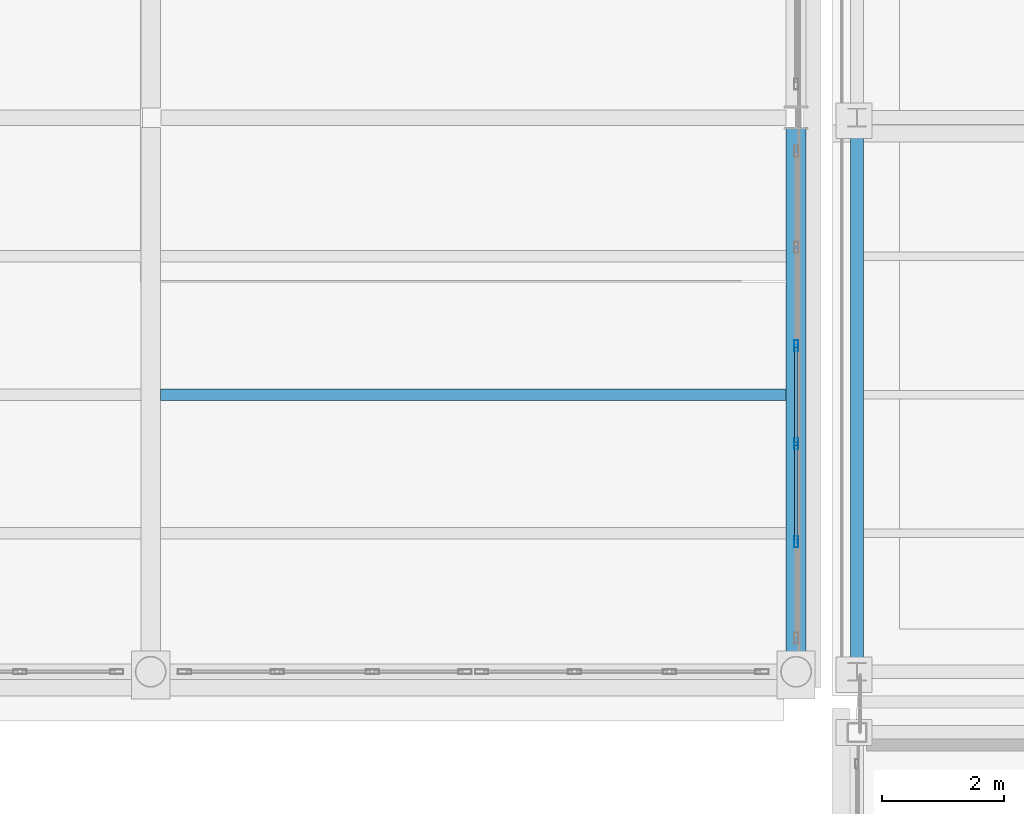
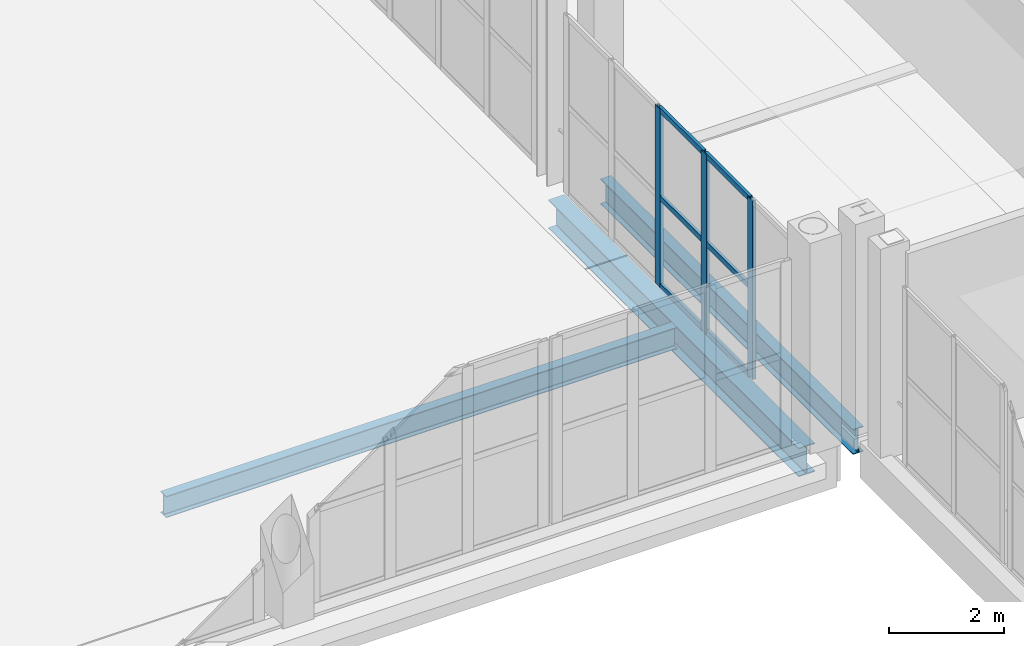
# One storey, part 82 of 156: 9 members, 3 beams, 1 element without a shape of its own.
"""IFC4 building model written with IfcOpenShell, lengths in metres."""

import ifcopenshell
import ifcopenshell.guid

model = None  # the IFC model being written
_history = None  # IfcOwnerHistory: only IFC2X3 demands one
_inside = {}  # id of a spatial element -> (the spatial element, [elements in it])
_under = {}  # id of a project, library or spatial element -> (it, [spatial elements below it])
_declared = {}  # id of a project -> (the project, [libraries it declares])
_typed = {}  # id of a type object -> (the type object, [elements of that type])
_made_of = {}  # id of a material, layer set ... -> (it, [elements and type objects made of it])


def new_model(schema):
    """Start an empty IFC model of exactly this schema.

    Asked for "IFC4X3", IfcOpenShell would pick the latest addendum, in which some entities
    have other attributes; the version numbers below select the first issue.
    IFC2X3 requires an IfcOwnerHistory on every rooted entity: one is made here for all.
    """
    global model, _history
    if schema == "IFC4X3":
        model = ifcopenshell.file(schema_version=(4, 3, 0, 0))
    else:
        model = ifcopenshell.file(schema=schema)
    _inside.clear()
    _under.clear()
    _declared.clear()
    _typed.clear()
    _made_of.clear()
    _history = None
    if model.schema == "IFC2X3":
        org = make("IfcOrganization", Name="unknown")
        user = make(
            "IfcPersonAndOrganization",
            ThePerson=make("IfcPerson", FamilyName="unknown"),
            TheOrganization=org,
        )
        app = make(
            "IfcApplication",
            ApplicationDeveloper=org,
            Version="unknown",
            ApplicationFullName="unknown",
            ApplicationIdentifier="unknown",
        )
        _history = make(
            "IfcOwnerHistory",
            OwningUser=user,
            OwningApplication=app,
            ChangeAction="ADDED",
            CreationDate=0,
        )
    return model


def make(cls, **values):
    """One entity of the class cls with the attributes given. An attribute that is None is left unset."""
    return model.create_entity(
        cls, **{name: value for name, value in values.items() if value is not None}
    )


def rooted(cls, **values):
    """An entity with a GlobalId (a new one), such as an element, a storey or a relation."""
    return make(cls, GlobalId=ifcopenshell.guid.new(), OwnerHistory=_history, **values)


def si_unit(unit_type, name, prefix=None):
    """IfcSIUnit, for example si_unit("LENGTHUNIT", "METRE", prefix="MILLI")."""
    return make("IfcSIUnit", UnitType=unit_type, Prefix=prefix, Name=name)


def assignment(units):
    """IfcUnitAssignment: the units of a project."""
    return None if units is None else make("IfcUnitAssignment", Units=units)


def point(xyz):
    """IfcCartesianPoint."""
    return None if xyz is None else make("IfcCartesianPoint", Coordinates=xyz)


def direction(xyz):
    """IfcDirection."""
    return None if xyz is None else make("IfcDirection", DirectionRatios=xyz)


def frame(location, z_axis=None, x_axis=None):
    """IfcAxis2Placement3D, a coordinate frame: its origin and axes. An axis left out is left unset."""
    return make(
        "IfcAxis2Placement3D",
        Location=point(location),
        Axis=direction(z_axis),
        RefDirection=direction(x_axis),
    )


def frame_2d(location, x_axis=None):
    """IfcAxis2Placement2D, a coordinate frame in the plane: its origin and x axis."""
    return make(
        "IfcAxis2Placement2D", Location=point(location), RefDirection=direction(x_axis)
    )


def origin():
    """The frame at (0, 0, 0) with its axes left unset."""
    return frame((0.0, 0.0, 0.0))


def origin_2d():
    """The frame at (0, 0) in the plane with its x axis left unset."""
    return frame_2d((0.0, 0.0))


def place(relative_to, where):
    """IfcLocalPlacement: puts the frame where relative to a parent placement (None: the world)."""
    return make(
        "IfcLocalPlacement", PlacementRelTo=relative_to, RelativePlacement=where
    )


def context(
    kind, dimensions, precision=None, world=None, true_north=None, identifier=None
):
    """IfcGeometricRepresentationContext, for example the 3D "Model" context."""
    return make(
        "IfcGeometricRepresentationContext",
        ContextIdentifier=identifier,
        ContextType=kind,
        CoordinateSpaceDimension=dimensions,
        Precision=precision,
        WorldCoordinateSystem=world,
        TrueNorth=true_north,
    )


def subcontext(parent, identifier, kind, view, scale=None):
    """IfcGeometricRepresentationSubContext, for example "Body" below "Model"."""
    return make(
        "IfcGeometricRepresentationSubContext",
        ContextIdentifier=identifier,
        ContextType=kind,
        ParentContext=parent,
        TargetScale=scale,
        TargetView=view,
    )


def project(units=None, contexts=None):
    """IfcProject with its units and contexts."""
    return rooted(
        "IfcProject",
        Name="project",
        RepresentationContexts=contexts,
        UnitsInContext=assignment(units),
    )


def spatial(cls, under=None, at=None, **own):
    """A site, building, storey or space (cls), placed at a placement, below another one or the project."""
    s = rooted(cls, ObjectPlacement=at, **own)
    if under is not None:
        _under.setdefault(under.id(), (under, []))[1].append(s)
    return s


def profile(cls, at=None, kind="AREA", **sizes):
    """A parametric profile (cls). Its sizes go by their IFC names, for example OverallWidth=200.0."""
    return make(cls, ProfileType=kind, Position=at, **sizes)


def hollow_rectangle(**sizes):
    """IfcRectangleHollowProfileDef."""
    return profile("IfcRectangleHollowProfileDef", **sizes)


def i_section(**sizes):
    """IfcIShapeProfileDef."""
    return profile("IfcIShapeProfileDef", **sizes)


def extrude(swept, where, along, depth):
    """IfcExtrudedAreaSolid: the profile swept, set in the frame where, extruded along a direction by depth."""
    return make(
        "IfcExtrudedAreaSolid",
        SweptArea=swept,
        Position=where,
        ExtrudedDirection=direction(along),
        Depth=depth,
    )


def shape(context_of_items, identifier, shape_type, items):
    """IfcShapeRepresentation: the items that make up one representation, for example the "Body"."""
    return make(
        "IfcShapeRepresentation",
        ContextOfItems=context_of_items,
        RepresentationIdentifier=identifier,
        RepresentationType=shape_type,
        Items=items,
    )


def material(Name=None, Category=None):
    """IfcMaterial."""
    return make("IfcMaterial", Name=Name, Category=Category)


def material_profile(
    of_material, cross_section, Name=None, Category=None, Priority=None
):
    """IfcMaterialProfile: a cross section and its material."""
    return make(
        "IfcMaterialProfile",
        Name=Name,
        Material=of_material,
        Profile=cross_section,
        Priority=Priority,
        Category=Category,
    )


def profile_set(profiles, Name=None, composite=None):
    """IfcMaterialProfileSet."""
    return make(
        "IfcMaterialProfileSet",
        Name=Name,
        MaterialProfiles=profiles,
        CompositeProfile=composite,
    )


def made_of(thing, what):
    """Note that an element or type object is made of a material, layer set ...; save() writes the relation."""
    if what is not None:
        _made_of.setdefault(what.id(), (what, []))[1].append(thing)
    return thing


def type_object(cls, material=None, **own):
    """A type object (cls), such as IfcWallType, which elements share."""
    return made_of(rooted(cls, **own), material)


def element(
    cls,
    number,
    at=None,
    inside=None,
    cuts=None,
    type_object=None,
    material=None,
    context=None,
    identifier="Body",
    shape_type=None,
    held_by="IfcProductDefinitionShape",
    body=None,
    shapes=None,
    **own,
):
    """One element of the class cls, such as IfcWall. Its Tag is "e" and its number.

    at: its placement. inside: the storey or other place that contains it. cuts: it is an
    opening in that element (IfcRelVoidsElement). A single representation is given by context,
    identifier, shape_type and body (its items); several are given by shapes. held_by: the class
    of the entity that holds the representations. save() writes the other relations.
    """
    e = rooted(cls, Tag="e%d" % number, ObjectPlacement=at, **own)
    if body is not None:
        shapes = [shape(context, identifier, shape_type, body)]
    if shapes is not None:
        e.Representation = make(held_by, Representations=shapes)
    if inside is not None:
        _inside.setdefault(inside.id(), (inside, []))[1].append(e)
    if cuts is not None:
        rooted(
            "IfcRelVoidsElement", RelatingBuildingElement=cuts, RelatedOpeningElement=e
        )
    if type_object is not None:
        _typed.setdefault(type_object.id(), (type_object, []))[1].append(e)
    return made_of(e, material)


def aggregate(whole, parts):
    """IfcRelAggregates: a whole, such as a stair, and the parts it consists of."""
    return rooted("IfcRelAggregates", RelatingObject=whole, RelatedObjects=parts)


def save(model, path):
    """Write the relations noted so far, then the file.

    IfcRelAggregates (storeys below a building ...), IfcRelContainedInSpatialStructure (elements
    in a storey), IfcRelDefinesByType, IfcRelAssociatesMaterial and IfcRelDeclares: one each for
    every whole, place, type object, material and project.
    """
    for whole, parts in _under.values():
        aggregate(whole, parts)
    for where, things in _inside.values():
        rooted(
            "IfcRelContainedInSpatialStructure",
            RelatedElements=things,
            RelatingStructure=where,
        )
    for kind, things in _typed.values():
        rooted("IfcRelDefinesByType", RelatedObjects=things, RelatingType=kind)
    for what, things in _made_of.values():
        rooted("IfcRelAssociatesMaterial", RelatedObjects=things, RelatingMaterial=what)
    for by, libraries in _declared.values():
        rooted("IfcRelDeclares", RelatingContext=by, RelatedDefinitions=libraries)
    model.write(path)


model = new_model("IFC4")

# Units and contexts
model_context = context("Model", 3, precision=1e-05, world=origin(), true_north=direction((0.0, 1.0)))
body_context = subcontext(model_context, "Body", "Model", "MODEL_VIEW")
ifc_project = project(units=[si_unit("LENGTHUNIT", "METRE"), si_unit("AREAUNIT", "SQUARE_METRE"), si_unit("VOLUMEUNIT", "CUBIC_METRE"), si_unit("PLANEANGLEUNIT", "RADIAN"), si_unit("MASSUNIT", "GRAM", prefix="KILO")], contexts=[model_context])

# Site, building, storey
site_placement = place(None, origin())
site = spatial("IfcSite", under=ifc_project, at=site_placement, CompositionType="ELEMENT")
building_placement = place(site_placement, origin())
building = spatial("IfcBuilding", under=site, at=building_placement, Name="Caurita Quay Ferry Terminal", CompositionType="ELEMENT")
storey_placement = place(building_placement, frame((0.0, 0.0, 5.39990234375)))
storey = spatial("IfcBuildingStorey", under=building, at=storey_placement, Name="L01", CompositionType="ELEMENT", Elevation=5.39990234375)

# Beams
ifc_material_1 = material(Name="Structural steel ASTM A992 Gr. 50", Category="steel")
ifc_material_profile_1 = material_profile(ifc_material_1, i_section(OverallWidth=0.210693359375, OverallDepth=0.53857421875, WebThickness=0.01171875, FlangeThickness=0.018798828125, FilletRadius=0.013916015625, at=origin_2d()), Name="W21X73")
ifc_profile_set_1 = profile_set([ifc_material_profile_1], Name="Structural steel ASTM A992 Gr. 50")
beam_type_1 = type_object("IfcBeamType", Name="BM-GR-W21A", PredefinedType="BEAM", material=ifc_profile_set_1)
beam_1_placement = place(storey_placement, frame((132.800048828125, 34.75439453125, -0.504150390625), z_axis=(0.0, 1.0, 0.0), x_axis=(-1.0, 0.0, 0.0)))
element("IfcBeam", 1, at=beam_1_placement, inside=storey, type_object=beam_type_1, Name="L01 Beam BM-V3H-L01-Y-1328-348", PredefinedType="BEAM", context=body_context, shape_type="SweptSolid", body=[
    extrude(i_section(OverallWidth=0.210693359375, OverallDepth=0.53857421875, WebThickness=0.01171875, FlangeThickness=0.018798828125, FilletRadius=0.013916015625, at=origin_2d()), origin(), (0.0, 0.0, 1.0), 8.791259765625),
])
ifc_material_profile_2 = material_profile(ifc_material_1, i_section(OverallWidth=0.3251953125, OverallDepth=0.612060546875, WebThickness=0.0126953125, FlangeThickness=0.01904296875, FilletRadius=0.01513671875, at=origin_2d()), Name="W24X104")
ifc_profile_set_2 = profile_set([ifc_material_profile_2], Name="Structural steel ASTM A992 Gr. 50")
beam_type_2 = type_object("IfcBeamType", Name="BM-GR-W24A", PredefinedType="BEAM", material=ifc_profile_set_2)
beam_2_placement = place(storey_placement, frame((131.800048828125, 34.81591796875, -0.60595703125), z_axis=(0.0, 1.0, 0.0), x_axis=(-1.0, 0.0, 0.0)))
element("IfcBeam", 2, at=beam_2_placement, inside=storey, type_object=beam_type_2, Name="L01 Beam BM-V2-L01-Y-1318-348", PredefinedType="BEAM", context=body_context, shape_type="SweptSolid", body=[
    extrude(i_section(OverallWidth=0.3251953125, OverallDepth=0.612060546875, WebThickness=0.0126953125, FlangeThickness=0.01904296875, FilletRadius=0.01513671875, at=origin_2d()), origin(), (0.0, 0.0, 1.0), 8.716796875),
])
ifc_material_profile_3 = material_profile(ifc_material_1, i_section(OverallWidth=0.1904296875, OverallDepth=0.457275390625, WebThickness=0.009033203125, FlangeThickness=0.014404296875, FilletRadius=0.0126953125, at=origin_2d()), Name="W18X50")
ifc_profile_set_3 = profile_set([ifc_material_profile_3], Name="Structural steel ASTM A992 Gr. 50")
beam_type_3 = type_object("IfcBeamType", Name="BM-JS-W18B", PredefinedType="JOIST", material=ifc_profile_set_3)
beam_3_placement = place(storey_placement, frame((121.362548828125, 39.14990234375, -0.528564453125), z_axis=(1.0, 0.0, 0.0), x_axis=(0.0, 1.0, 0.0)))
element("IfcBeam", 3, at=beam_3_placement, inside=storey, type_object=beam_type_3, Name="L01 Beam JS-V2-L01-032", PredefinedType="JOIST", context=body_context, shape_type="SweptSolid", body=[
    extrude(i_section(OverallWidth=0.1904296875, OverallDepth=0.457275390625, WebThickness=0.009033203125, FlangeThickness=0.014404296875, FilletRadius=0.0126953125, at=origin_2d()), origin(), (0.0, 0.0, 1.0), 10.27490234375),
])

# Curtain wall, members
ifc_material_2 = material(Name="Laminated solar-control insulated glass", Category="glass")
curtain_wall_type = type_object("IfcCurtainWallType", Name="CW-SYS-11", PredefinedType="NOTDEFINED", material=ifc_material_2)
curtain_wall_placement = place(storey_placement, origin())
curtain_wall = element("IfcCurtainWall", 4, at=curtain_wall_placement, inside=storey, type_object=curtain_wall_type, Name="Concourse Gable Curtain Wall 086", PredefinedType="NOTDEFINED")
ifc_material_3 = material(Name="Anodized aluminium 6063-T6", Category="aluminium")
ifc_material_profile_4 = material_profile(ifc_material_3, hollow_rectangle(XDim=0.06494140625, YDim=0.179931640625, WallThickness=0.00390625, at=origin_2d()), Name="ALU-MUL-65X180")
ifc_profile_set_4 = profile_set([ifc_material_profile_4], Name="Anodized aluminium 6063-T6")
member_type_1 = type_object("IfcMemberType", Name="CW-MUL-180", PredefinedType="MULLION", material=ifc_profile_set_4)
member_1_placement = place(storey_placement, frame((131.800048828125, 36.73193359375, 0.0), z_axis=(0.0, 0.0, 1.0), x_axis=(-1.0, 0.0, 0.0)))
member_1 = element("IfcMember", 5, at=member_1_placement, type_object=member_type_1, Name="CW-GBL-086 Mullion 2", PredefinedType="MULLION", context=body_context, shape_type="SweptSolid", body=[
    extrude(hollow_rectangle(XDim=0.06494140625, YDim=0.179931640625, WallThickness=0.00390625, at=origin_2d()), origin(), (0.0, 0.0, 1.0), 3.800048828125),
])
member_2_placement = place(storey_placement, frame((131.800048828125, 38.343994140625, 0.0), z_axis=(0.0, 0.0, 1.0), x_axis=(-1.0, 0.0, 0.0)))
member_2 = element("IfcMember", 6, at=member_2_placement, type_object=member_type_1, Name="CW-GBL-086 Mullion 3", PredefinedType="MULLION", context=body_context, shape_type="SweptSolid", body=[
    extrude(hollow_rectangle(XDim=0.06494140625, YDim=0.179931640625, WallThickness=0.00390625, at=origin_2d()), origin(), (0.0, 0.0, 1.0), 3.800048828125),
])
member_3_placement = place(storey_placement, frame((131.800048828125, 39.9560546875, 0.0), z_axis=(0.0, 0.0, 1.0), x_axis=(-1.0, 0.0, 0.0)))
member_3 = element("IfcMember", 7, at=member_3_placement, type_object=member_type_1, Name="CW-GBL-086 Mullion 4", PredefinedType="MULLION", context=body_context, shape_type="SweptSolid", body=[
    extrude(hollow_rectangle(XDim=0.06494140625, YDim=0.179931640625, WallThickness=0.00390625, at=origin_2d()), origin(), (0.0, 0.0, 1.0), 3.800048828125),
])
ifc_material_profile_5 = material_profile(ifc_material_3, hollow_rectangle(XDim=0.06005859375, YDim=0.114990234375, WallThickness=0.00341796875, at=origin_2d()), Name="ALU-TRN-60X115")
ifc_profile_set_5 = profile_set([ifc_material_profile_5], Name="Anodized aluminium 6063-T6")
member_type_2 = type_object("IfcMemberType", Name="CW-TRN-115", PredefinedType="USERDEFINED", material=ifc_profile_set_5)
member_4_placement = place(storey_placement, frame((131.800048828125, 36.762451171875, 0.030029296875), z_axis=(0.0, 1.0, 0.0), x_axis=(-1.0, 0.0, 0.0)))
member_4 = element("IfcMember", 8, at=member_4_placement, type_object=member_type_2, Name="CW-GBL-086 Transom 4", ObjectType="TRANSOM", PredefinedType="USERDEFINED", context=body_context, shape_type="SweptSolid", body=[
    extrude(hollow_rectangle(XDim=0.06005859375, YDim=0.114990234375, WallThickness=0.00341796875, at=origin_2d()), origin(), (0.0, 0.0, 1.0), 1.551025390625),
])
member_5_placement = place(storey_placement, frame((131.800048828125, 36.762451171875, 1.900146484375), z_axis=(0.0, 1.0, 0.0), x_axis=(-1.0, 0.0, 0.0)))
member_5 = element("IfcMember", 9, at=member_5_placement, type_object=member_type_2, Name="CW-GBL-086 Transom 5", ObjectType="TRANSOM", PredefinedType="USERDEFINED", context=body_context, shape_type="SweptSolid", body=[
    extrude(hollow_rectangle(XDim=0.06005859375, YDim=0.114990234375, WallThickness=0.00341796875, at=origin_2d()), origin(), (0.0, 0.0, 1.0), 1.551025390625),
])
member_6_placement = place(storey_placement, frame((131.800048828125, 36.762451171875, 3.77001953125), z_axis=(0.0, 1.0, 0.0), x_axis=(-1.0, 0.0, 0.0)))
member_6 = element("IfcMember", 10, at=member_6_placement, type_object=member_type_2, Name="CW-GBL-086 Transom 6", ObjectType="TRANSOM", PredefinedType="USERDEFINED", context=body_context, shape_type="SweptSolid", body=[
    extrude(hollow_rectangle(XDim=0.06005859375, YDim=0.114990234375, WallThickness=0.00341796875, at=origin_2d()), origin(), (0.0, 0.0, 1.0), 1.551025390625),
])
member_7_placement = place(storey_placement, frame((131.800048828125, 38.37451171875, 0.030029296875), z_axis=(0.0, 1.0, 0.0), x_axis=(-1.0, 0.0, 0.0)))
member_7 = element("IfcMember", 11, at=member_7_placement, type_object=member_type_2, Name="CW-GBL-086 Transom 7", ObjectType="TRANSOM", PredefinedType="USERDEFINED", context=body_context, shape_type="SweptSolid", body=[
    extrude(hollow_rectangle(XDim=0.06005859375, YDim=0.114990234375, WallThickness=0.00341796875, at=origin_2d()), origin(), (0.0, 0.0, 1.0), 1.551025390625),
])
member_8_placement = place(storey_placement, frame((131.800048828125, 38.37451171875, 1.900146484375), z_axis=(0.0, 1.0, 0.0), x_axis=(-1.0, 0.0, 0.0)))
member_8 = element("IfcMember", 12, at=member_8_placement, type_object=member_type_2, Name="CW-GBL-086 Transom 8", ObjectType="TRANSOM", PredefinedType="USERDEFINED", context=body_context, shape_type="SweptSolid", body=[
    extrude(hollow_rectangle(XDim=0.06005859375, YDim=0.114990234375, WallThickness=0.00341796875, at=origin_2d()), origin(), (0.0, 0.0, 1.0), 1.551025390625),
])
member_9_placement = place(storey_placement, frame((131.800048828125, 38.37451171875, 3.77001953125), z_axis=(0.0, 1.0, 0.0), x_axis=(-1.0, 0.0, 0.0)))
member_9 = element("IfcMember", 13, at=member_9_placement, type_object=member_type_2, Name="CW-GBL-086 Transom 9", ObjectType="TRANSOM", PredefinedType="USERDEFINED", context=body_context, shape_type="SweptSolid", body=[
    extrude(hollow_rectangle(XDim=0.06005859375, YDim=0.114990234375, WallThickness=0.00341796875, at=origin_2d()), origin(), (0.0, 0.0, 1.0), 1.551025390625),
])
aggregate(curtain_wall, [member_1, member_2, member_3, member_4, member_5, member_6, member_7, member_8, member_9])

save(model, "model.ifc")
